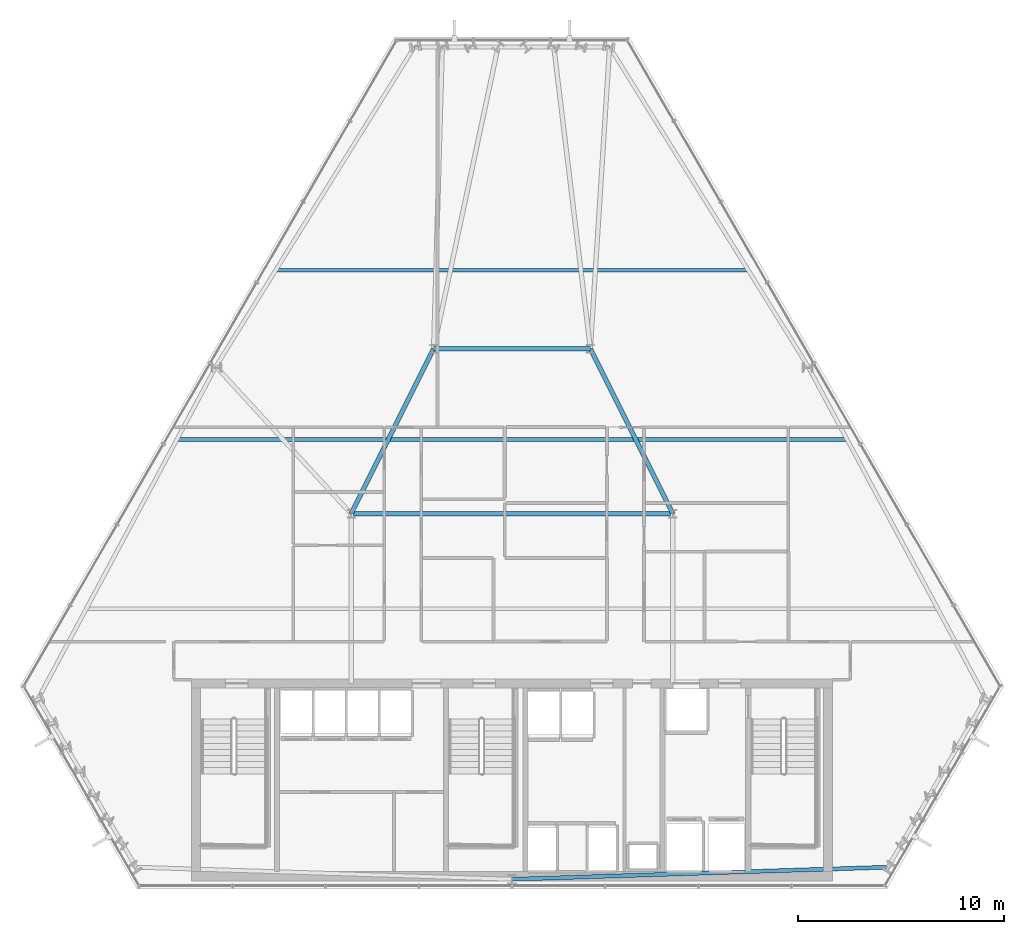
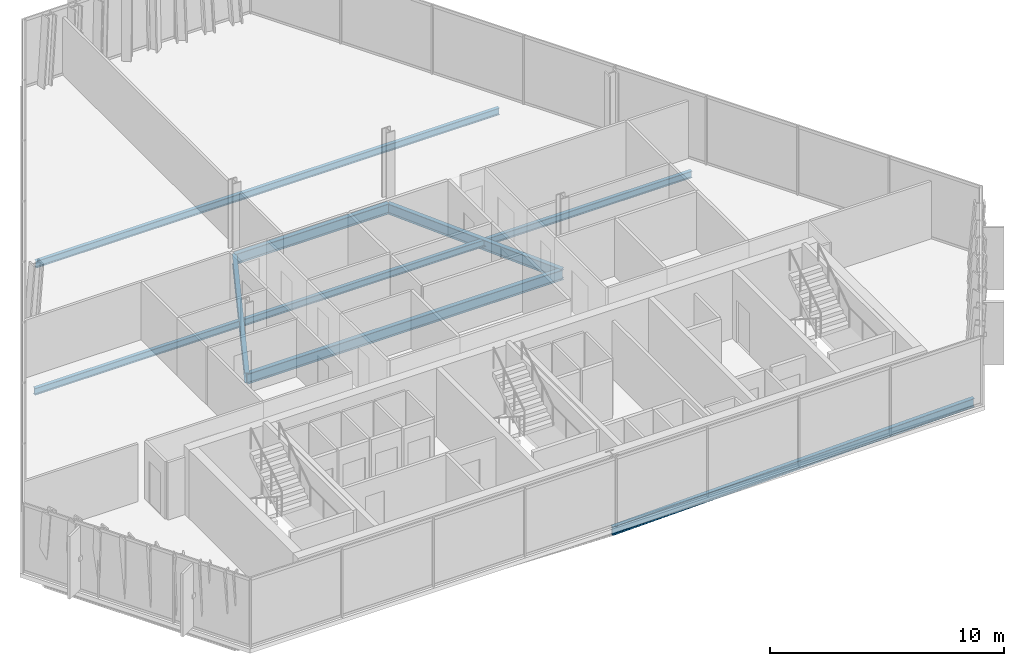
# One storey, part 15 of 32: 7 beams.
"""IFC4 building model written with IfcOpenShell, lengths in metres."""

import ifcopenshell
import ifcopenshell.guid

model = None  # the IFC model being written
_history = None  # IfcOwnerHistory: only IFC2X3 demands one
_inside = {}  # id of a spatial element -> (the spatial element, [elements in it])
_under = {}  # id of a project, library or spatial element -> (it, [spatial elements below it])
_declared = {}  # id of a project -> (the project, [libraries it declares])
_typed = {}  # id of a type object -> (the type object, [elements of that type])
_made_of = {}  # id of a material, layer set ... -> (it, [elements and type objects made of it])


def new_model(schema):
    """Start an empty IFC model of exactly this schema.

    Asked for "IFC4X3", IfcOpenShell would pick the latest addendum, in which some entities
    have other attributes; the version numbers below select the first issue.
    IFC2X3 requires an IfcOwnerHistory on every rooted entity: one is made here for all.
    """
    global model, _history
    if schema == "IFC4X3":
        model = ifcopenshell.file(schema_version=(4, 3, 0, 0))
    else:
        model = ifcopenshell.file(schema=schema)
    _inside.clear()
    _under.clear()
    _declared.clear()
    _typed.clear()
    _made_of.clear()
    _history = None
    if model.schema == "IFC2X3":
        org = make("IfcOrganization", Name="unknown")
        user = make(
            "IfcPersonAndOrganization",
            ThePerson=make("IfcPerson", FamilyName="unknown"),
            TheOrganization=org,
        )
        app = make(
            "IfcApplication",
            ApplicationDeveloper=org,
            Version="unknown",
            ApplicationFullName="unknown",
            ApplicationIdentifier="unknown",
        )
        _history = make(
            "IfcOwnerHistory",
            OwningUser=user,
            OwningApplication=app,
            ChangeAction="ADDED",
            CreationDate=0,
        )
    return model


def make(cls, **values):
    """One entity of the class cls with the attributes given. An attribute that is None is left unset."""
    return model.create_entity(
        cls, **{name: value for name, value in values.items() if value is not None}
    )


def rooted(cls, **values):
    """An entity with a GlobalId (a new one), such as an element, a storey or a relation."""
    return make(cls, GlobalId=ifcopenshell.guid.new(), OwnerHistory=_history, **values)


def si_unit(unit_type, name, prefix=None):
    """IfcSIUnit, for example si_unit("LENGTHUNIT", "METRE", prefix="MILLI")."""
    return make("IfcSIUnit", UnitType=unit_type, Prefix=prefix, Name=name)


def assignment(units):
    """IfcUnitAssignment: the units of a project."""
    return None if units is None else make("IfcUnitAssignment", Units=units)


def point(xyz):
    """IfcCartesianPoint."""
    return None if xyz is None else make("IfcCartesianPoint", Coordinates=xyz)


def direction(xyz):
    """IfcDirection."""
    return None if xyz is None else make("IfcDirection", DirectionRatios=xyz)


def frame(location, z_axis=None, x_axis=None):
    """IfcAxis2Placement3D, a coordinate frame: its origin and axes. An axis left out is left unset."""
    return make(
        "IfcAxis2Placement3D",
        Location=point(location),
        Axis=direction(z_axis),
        RefDirection=direction(x_axis),
    )


def frame_2d(location, x_axis=None):
    """IfcAxis2Placement2D, a coordinate frame in the plane: its origin and x axis."""
    return make(
        "IfcAxis2Placement2D", Location=point(location), RefDirection=direction(x_axis)
    )


def origin():
    """The frame at (0, 0, 0) with its axes left unset."""
    return frame((0.0, 0.0, 0.0))


def origin_2d():
    """The frame at (0, 0) in the plane with its x axis left unset."""
    return frame_2d((0.0, 0.0))


def place(relative_to, where):
    """IfcLocalPlacement: puts the frame where relative to a parent placement (None: the world)."""
    return make(
        "IfcLocalPlacement", PlacementRelTo=relative_to, RelativePlacement=where
    )


def context(
    kind, dimensions, precision=None, world=None, true_north=None, identifier=None
):
    """IfcGeometricRepresentationContext, for example the 3D "Model" context."""
    return make(
        "IfcGeometricRepresentationContext",
        ContextIdentifier=identifier,
        ContextType=kind,
        CoordinateSpaceDimension=dimensions,
        Precision=precision,
        WorldCoordinateSystem=world,
        TrueNorth=true_north,
    )


def subcontext(parent, identifier, kind, view, scale=None):
    """IfcGeometricRepresentationSubContext, for example "Body" below "Model"."""
    return make(
        "IfcGeometricRepresentationSubContext",
        ContextIdentifier=identifier,
        ContextType=kind,
        ParentContext=parent,
        TargetScale=scale,
        TargetView=view,
    )


def project(units=None, contexts=None):
    """IfcProject with its units and contexts."""
    return rooted(
        "IfcProject",
        Name="project",
        RepresentationContexts=contexts,
        UnitsInContext=assignment(units),
    )


def spatial(cls, under=None, at=None, **own):
    """A site, building, storey or space (cls), placed at a placement, below another one or the project."""
    s = rooted(cls, ObjectPlacement=at, **own)
    if under is not None:
        _under.setdefault(under.id(), (under, []))[1].append(s)
    return s


def profile(cls, at=None, kind="AREA", **sizes):
    """A parametric profile (cls). Its sizes go by their IFC names, for example OverallWidth=200.0."""
    return make(cls, ProfileType=kind, Position=at, **sizes)


def i_section(**sizes):
    """IfcIShapeProfileDef."""
    return profile("IfcIShapeProfileDef", **sizes)


def extrude(swept, where, along, depth):
    """IfcExtrudedAreaSolid: the profile swept, set in the frame where, extruded along a direction by depth."""
    return make(
        "IfcExtrudedAreaSolid",
        SweptArea=swept,
        Position=where,
        ExtrudedDirection=direction(along),
        Depth=depth,
    )


def shape(context_of_items, identifier, shape_type, items):
    """IfcShapeRepresentation: the items that make up one representation, for example the "Body"."""
    return make(
        "IfcShapeRepresentation",
        ContextOfItems=context_of_items,
        RepresentationIdentifier=identifier,
        RepresentationType=shape_type,
        Items=items,
    )


def material(Name=None, Category=None):
    """IfcMaterial."""
    return make("IfcMaterial", Name=Name, Category=Category)


def material_profile(
    of_material, cross_section, Name=None, Category=None, Priority=None
):
    """IfcMaterialProfile: a cross section and its material."""
    return make(
        "IfcMaterialProfile",
        Name=Name,
        Material=of_material,
        Profile=cross_section,
        Priority=Priority,
        Category=Category,
    )


def profile_set(profiles, Name=None, composite=None):
    """IfcMaterialProfileSet."""
    return make(
        "IfcMaterialProfileSet",
        Name=Name,
        MaterialProfiles=profiles,
        CompositeProfile=composite,
    )


def made_of(thing, what):
    """Note that an element or type object is made of a material, layer set ...; save() writes the relation."""
    if what is not None:
        _made_of.setdefault(what.id(), (what, []))[1].append(thing)
    return thing


def type_object(cls, material=None, **own):
    """A type object (cls), such as IfcWallType, which elements share."""
    return made_of(rooted(cls, **own), material)


def element(
    cls,
    number,
    at=None,
    inside=None,
    cuts=None,
    type_object=None,
    material=None,
    context=None,
    identifier="Body",
    shape_type=None,
    held_by="IfcProductDefinitionShape",
    body=None,
    shapes=None,
    **own,
):
    """One element of the class cls, such as IfcWall. Its Tag is "e" and its number.

    at: its placement. inside: the storey or other place that contains it. cuts: it is an
    opening in that element (IfcRelVoidsElement). A single representation is given by context,
    identifier, shape_type and body (its items); several are given by shapes. held_by: the class
    of the entity that holds the representations. save() writes the other relations.
    """
    e = rooted(cls, Tag="e%d" % number, ObjectPlacement=at, **own)
    if body is not None:
        shapes = [shape(context, identifier, shape_type, body)]
    if shapes is not None:
        e.Representation = make(held_by, Representations=shapes)
    if inside is not None:
        _inside.setdefault(inside.id(), (inside, []))[1].append(e)
    if cuts is not None:
        rooted(
            "IfcRelVoidsElement", RelatingBuildingElement=cuts, RelatedOpeningElement=e
        )
    if type_object is not None:
        _typed.setdefault(type_object.id(), (type_object, []))[1].append(e)
    return made_of(e, material)


def aggregate(whole, parts):
    """IfcRelAggregates: a whole, such as a stair, and the parts it consists of."""
    return rooted("IfcRelAggregates", RelatingObject=whole, RelatedObjects=parts)


def save(model, path):
    """Write the relations noted so far, then the file.

    IfcRelAggregates (storeys below a building ...), IfcRelContainedInSpatialStructure (elements
    in a storey), IfcRelDefinesByType, IfcRelAssociatesMaterial and IfcRelDeclares: one each for
    every whole, place, type object, material and project.
    """
    for whole, parts in _under.values():
        aggregate(whole, parts)
    for where, things in _inside.values():
        rooted(
            "IfcRelContainedInSpatialStructure",
            RelatedElements=things,
            RelatingStructure=where,
        )
    for kind, things in _typed.values():
        rooted("IfcRelDefinesByType", RelatedObjects=things, RelatingType=kind)
    for what, things in _made_of.values():
        rooted("IfcRelAssociatesMaterial", RelatedObjects=things, RelatingMaterial=what)
    for by, libraries in _declared.values():
        rooted("IfcRelDeclares", RelatingContext=by, RelatedDefinitions=libraries)
    model.write(path)


model = new_model("IFC4")

# Units and contexts
model_context = context("Model", 3, precision=1e-05, world=origin(), true_north=direction((0.0, 1.0)))
body_context = subcontext(model_context, "Body", "Model", "MODEL_VIEW")
ifc_project = project(units=[si_unit("LENGTHUNIT", "METRE"), si_unit("AREAUNIT", "SQUARE_METRE"), si_unit("VOLUMEUNIT", "CUBIC_METRE"), si_unit("PLANEANGLEUNIT", "RADIAN"), si_unit("MASSUNIT", "GRAM", prefix="KILO")], contexts=[model_context])

# Site, building, storey
site_placement = place(None, origin())
site = spatial("IfcSite", under=ifc_project, at=site_placement, CompositionType="ELEMENT")
building_placement = place(site_placement, origin())
building = spatial("IfcBuilding", under=site, at=building_placement, Name="Ndaravel Arena Tower", CompositionType="ELEMENT")
storey_placement = place(building_placement, frame((0.0, 0.0, 157.39990234375)))
storey = spatial("IfcBuildingStorey", under=building, at=storey_placement, Name="L37", CompositionType="ELEMENT", Elevation=157.39990234375)

# Beams
ifc_material_1 = material(Name="Steel S355", Category="steel")
ifc_material_profile_1 = material_profile(ifc_material_1, i_section(OverallWidth=0.210693359375, OverallDepth=0.53955078125, WebThickness=0.01171875, FlangeThickness=0.018798828125, FilletRadius=0.0126953125, at=origin_2d()), Name="UB 533x210x109")
ifc_profile_set_1 = profile_set([ifc_material_profile_1], Name="Steel S355")
beam_type_1 = type_object("IfcBeamType", Name="BM-GIRD-UB533", PredefinedType="BEAM", material=ifc_profile_set_1)
beam_1_placement = place(storey_placement, frame((34.199951171875, 23.199951171875, -0.489501953125), z_axis=(1.0, 0.0, 0.0), x_axis=(0.0, 1.0, 0.0)))
element("IfcBeam", 1, at=beam_1_placement, inside=storey, type_object=beam_type_1, Name="L37 Spine Link Girder SLG-03", PredefinedType="BEAM", context=body_context, shape_type="SweptSolid", body=[
    extrude(i_section(OverallWidth=0.210693359375, OverallDepth=0.53955078125, WebThickness=0.01171875, FlangeThickness=0.018798828125, FilletRadius=0.0126953125, at=origin_2d()), origin(), (0.0, 0.0, 1.0), 15.60009765625),
])
for number, where, z_axis, x_axis, name in (
    (2, (34.199951171875, 23.199951171875, -0.489501953125), (0.4472135955, 0.894427191, 0.0), (-0.894427191, 0.4472135955, 0.0), "L37 Spine Link Girder SLG-04"),
    (3, (49.800048828125, 23.199951171875, -0.489501953125), (-0.4472135955, 0.894427191, 0.0), (-0.894427191, -0.4472135955, 0.0), "L37 Spine Link Girder SLG-05"),
):
    element("IfcBeam", number, at=place(storey_placement, frame(where, z_axis=z_axis, x_axis=x_axis)), inside=storey, type_object=beam_type_1, Name=name, PredefinedType="BEAM", context=body_context, shape_type="SweptSolid", body=[
        extrude(i_section(OverallWidth=0.210693359375, OverallDepth=0.53955078125, WebThickness=0.01171875, FlangeThickness=0.018798828125, FilletRadius=0.0126953125, at=origin_2d()), origin(), (0.0, 0.0, 1.0), 8.9443359375),
    ])
beam_2_placement = place(storey_placement, frame((38.199951171875, 31.199951171875, -0.489501953125), z_axis=(1.0, 0.0, 0.0), x_axis=(0.0, 1.0, 0.0)))
element("IfcBeam", 4, at=beam_2_placement, inside=storey, type_object=beam_type_1, Name="L37 Spine Link Girder SLG-06", PredefinedType="BEAM", context=body_context, shape_type="SweptSolid", body=[
    extrude(i_section(OverallWidth=0.210693359375, OverallDepth=0.53955078125, WebThickness=0.01171875, FlangeThickness=0.018798828125, FilletRadius=0.0126953125, at=origin_2d()), origin(), (0.0, 0.0, 1.0), 7.60009765625),
])
ifc_material_2 = material(Name="Steel S355", Category="steel")
ifc_material_profile_2 = material_profile(ifc_material_2, i_section(OverallWidth=0.172119140625, OverallDepth=0.35791015625, WebThickness=0.008056640625, FlangeThickness=0.012939453125, FilletRadius=0.01025390625, at=origin_2d()), Name="UB 356x171x57")
ifc_profile_set_2 = profile_set([ifc_material_profile_2], Name="Steel S355")
beam_type_2 = type_object("IfcBeamType", Name="BM-JOIST-UB356", PredefinedType="JOIST", material=ifc_profile_set_2)
beam_3_placement = place(storey_placement, frame((25.75244140625, 26.800048828125, -0.39892578125), z_axis=(1.0, 0.0, 0.0), x_axis=(0.0, 1.0, 0.0)))
element("IfcBeam", 5, at=beam_3_placement, inside=storey, type_object=beam_type_2, Name="L37 Composite Floor Joist FJ-02", PredefinedType="JOIST", context=body_context, shape_type="SweptSolid", body=[
    extrude(i_section(OverallWidth=0.172119140625, OverallDepth=0.35791015625, WebThickness=0.008056640625, FlangeThickness=0.012939453125, FilletRadius=0.01025390625, at=origin_2d()), origin(), (0.0, 0.0, 1.0), 32.4951171875),
])
beam_4_placement = place(storey_placement, frame((30.541259765625, 35.0, -0.39892578125), z_axis=(1.0, 0.0, 0.0), x_axis=(0.0, 1.0, 0.0)))
element("IfcBeam", 6, at=beam_4_placement, inside=storey, type_object=beam_type_2, Name="L37 Composite Floor Joist FJ-03", PredefinedType="JOIST", context=body_context, shape_type="SweptSolid", body=[
    extrude(i_section(OverallWidth=0.172119140625, OverallDepth=0.35791015625, WebThickness=0.008056640625, FlangeThickness=0.012939453125, FilletRadius=0.01025390625, at=origin_2d()), origin(), (0.0, 0.0, 1.0), 22.91748046875),
])
ifc_material_3 = material(Name="Steel S355", Category="steel")
ifc_material_profile_3 = material_profile(ifc_material_3, i_section(OverallWidth=0.18994140625, OverallDepth=0.449951171875, WebThickness=0.009521484375, FlangeThickness=0.0146484375, FilletRadius=0.02099609375, at=origin_2d()), Name="IPE 450")
ifc_profile_set_3 = profile_set([ifc_material_profile_3], Name="Steel S355")
beam_type_3 = type_object("IfcBeamType", Name="BM-SPAN-IPE450", PredefinedType="SPANDREL", material=ifc_profile_set_3)
beam_5_placement = place(storey_placement, frame((42.0, 5.47998046875, -0.44482421875), z_axis=(0.999485097772, 0.032086435317, 0.0), x_axis=(-0.032086435317, 0.999485097772, 0.0)))
element("IfcBeam", 7, at=beam_5_placement, inside=storey, type_object=beam_type_3, Name="L37 Perimeter Spandrel Beam SP-01", PredefinedType="SPANDREL", context=body_context, shape_type="SweptSolid", body=[
    extrude(i_section(OverallWidth=0.18994140625, OverallDepth=0.449951171875, WebThickness=0.009521484375, FlangeThickness=0.0146484375, FilletRadius=0.02099609375, at=origin_2d()), origin(), (0.0, 0.0, 1.0), 18.23828125),
])

save(model, "model.ifc")
